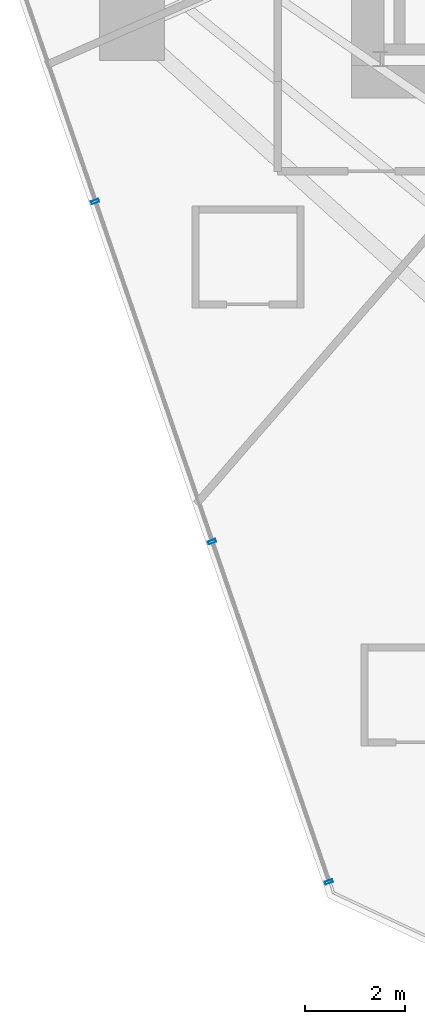
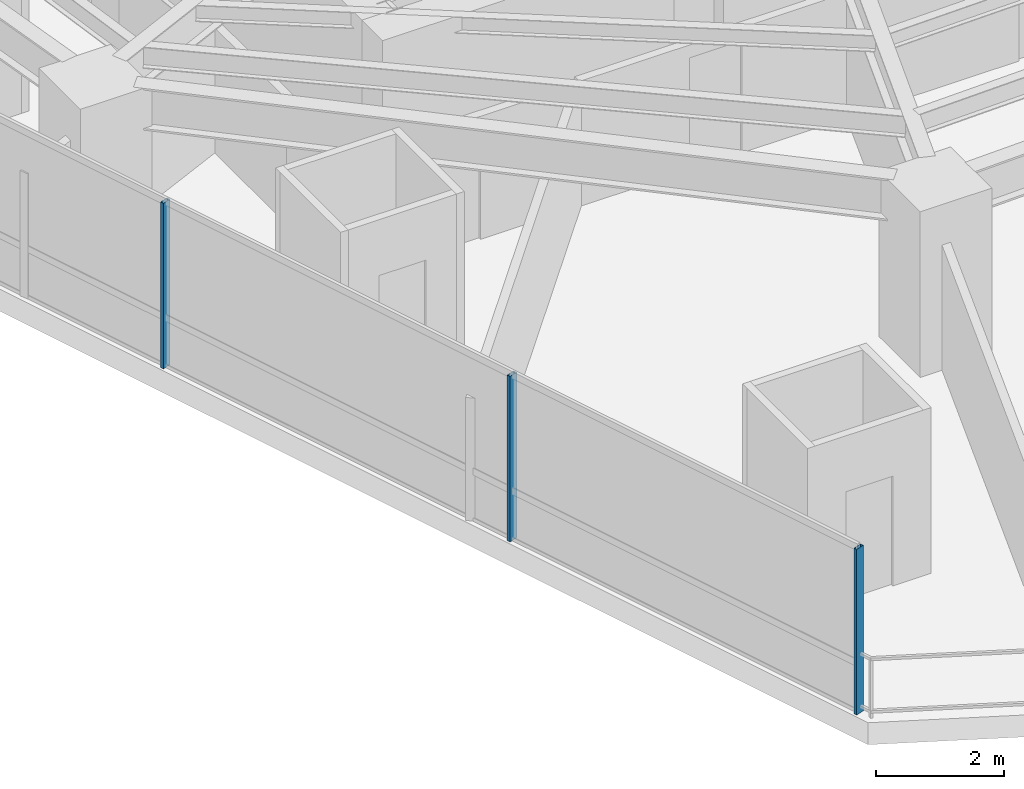
# One storey, part 3 of 33: 3 members, 1 element without a shape of its own.
"""IFC4 building model written with IfcOpenShell, lengths in metres."""

from ifc_helpers import new_model, si_unit, direction, frame, origin, origin_2d, place, context, subcontext, project, spatial, hollow_rectangle, extrude, material, layer, layer_set, material_profile, profile_set, type_object, element, aggregate, save


model = new_model("IFC4")

# Units and contexts
model_context = context("Model", 3, precision=1e-05, world=origin(), true_north=direction((0.0, 1.0)))
body_context = subcontext(model_context, "Body", "Model", "MODEL_VIEW")
ifc_project = project(units=[si_unit("LENGTHUNIT", "METRE"), si_unit("AREAUNIT", "SQUARE_METRE"), si_unit("VOLUMEUNIT", "CUBIC_METRE"), si_unit("PLANEANGLEUNIT", "RADIAN"), si_unit("MASSUNIT", "GRAM", prefix="KILO")], contexts=[model_context])

# Site, building, storey
site_placement = place(None, origin())
site = spatial("IfcSite", under=ifc_project, at=site_placement, CompositionType="ELEMENT")
building_placement = place(site_placement, origin())
building = spatial("IfcBuilding", under=site, at=building_placement, Name="Qarnah Convention Tower", CompositionType="ELEMENT")
storey_placement = place(building_placement, frame((0.0, 0.0, 27.0)))
storey = spatial("IfcBuildingStorey", under=building, at=storey_placement, Name="L05", CompositionType="ELEMENT", Elevation=27.0)

# Curtain wall, members
ifc_material_1 = material(Name="Tempered Low-E dark glass", Category="glass")
ifc_layer = layer(ifc_material_1, 0.16796875)
ifc_layer_set = layer_set([ifc_layer], Name="Tempered Low-E dark glass")
curtain_wall_type = type_object("IfcCurtainWallType", Name="CWS-01", PredefinedType="NOTDEFINED", material=ifc_layer_set)
curtain_wall_placement = place(storey_placement, origin())
curtain_wall = element("IfcCurtainWall", 1, at=curtain_wall_placement, inside=storey, type_object=curtain_wall_type, Name="L05 unitised curtain wall CW-L05-F1", PredefinedType="NOTDEFINED")
ifc_material_2 = material(Name="Black anodised aluminium", Category="aluminium")
ifc_material_profile = material_profile(ifc_material_2, hollow_rectangle(XDim=0.06005859375, YDim=0.159912109375, WallThickness=0.00390625, at=origin_2d()), Name="MUL-60X160")
ifc_profile_set = profile_set([ifc_material_profile], Name="Black anodised aluminium")
member_type = type_object("IfcMemberType", Name="MUL-T1", PredefinedType="MULLION", material=ifc_profile_set)
member_1_placement = place(storey_placement, frame((26.02392578125, 2.56689453125, 0.0), z_axis=(0.0, 0.0, 1.0), x_axis=(-0.324891257672, 0.945751378899, 0.0)))
member_1 = element("IfcMember", 2, at=member_1_placement, type_object=member_type, Name="CW-L05-F1 mullion 1", PredefinedType="MULLION", context=body_context, shape_type="SweptSolid", body=[
    extrude(hollow_rectangle(XDim=0.06005859375, YDim=0.159912109375, WallThickness=0.00390625, at=origin_2d()), origin(), (0.0, 0.0, 1.0), 3.169921875),
])
member_2_placement = place(storey_placement, frame((23.68310546875, 9.381591796875, 0.0), z_axis=(0.0, 0.0, 1.0), x_axis=(-0.324891257672, 0.945751378899, 0.0)))
member_2 = element("IfcMember", 3, at=member_2_placement, type_object=member_type, Name="CW-L05-F1 mullion 2", PredefinedType="MULLION", context=body_context, shape_type="SweptSolid", body=[
    extrude(hollow_rectangle(XDim=0.06005859375, YDim=0.159912109375, WallThickness=0.00390625, at=origin_2d()), origin(), (0.0, 0.0, 1.0), 3.169921875),
])
member_3_placement = place(storey_placement, frame((21.342041015625, 16.1962890625, 0.0), z_axis=(0.0, 0.0, 1.0), x_axis=(-0.324891257672, 0.945751378899, 0.0)))
member_3 = element("IfcMember", 4, at=member_3_placement, type_object=member_type, Name="CW-L05-F1 mullion 3", PredefinedType="MULLION", context=body_context, shape_type="SweptSolid", body=[
    extrude(hollow_rectangle(XDim=0.06005859375, YDim=0.159912109375, WallThickness=0.00390625, at=origin_2d()), origin(), (0.0, 0.0, 1.0), 3.169921875),
])
aggregate(curtain_wall, [member_1, member_2, member_3])

save(model, "model.ifc")
